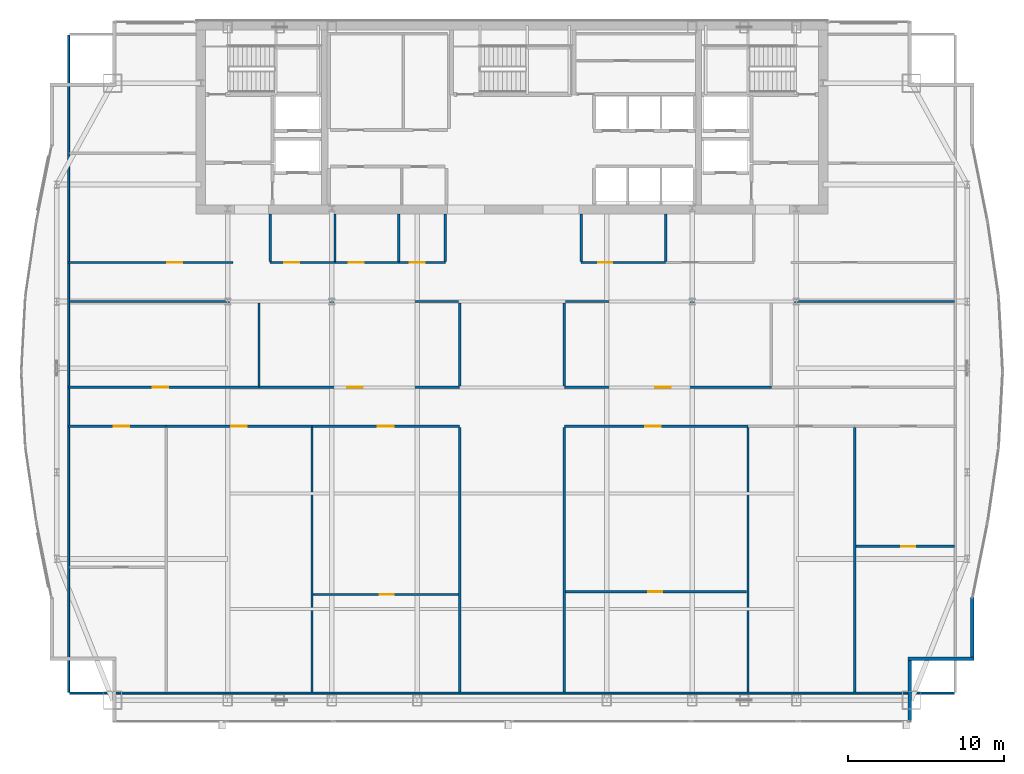
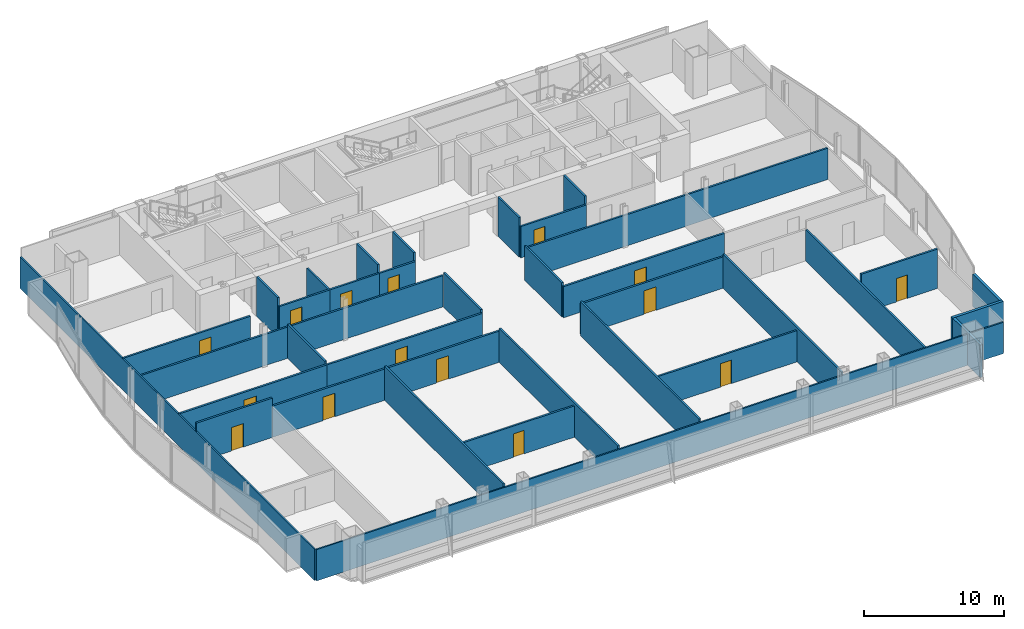
# One storey, part 25 of 30: 36 walls, 15 doors, 15 openings.
"""IFC4 building model written with IfcOpenShell, lengths in metres."""

from ifc_helpers import new_model, si_unit, direction, frame, frame_2d, origin, place, context, subcontext, project, spatial, rectangle, extrude, material, layer, layer_set, type_object, element, fill, save


model = new_model("IFC4")

# Units and contexts
model_context = context("Model", 3, precision=1e-05, world=origin(), true_north=direction((0.0, 1.0)))
body_context = subcontext(model_context, "Body", "Model", "MODEL_VIEW")
ifc_project = project(units=[si_unit("LENGTHUNIT", "METRE"), si_unit("AREAUNIT", "SQUARE_METRE"), si_unit("VOLUMEUNIT", "CUBIC_METRE"), si_unit("PLANEANGLEUNIT", "RADIAN"), si_unit("MASSUNIT", "GRAM", prefix="KILO")], contexts=[model_context])

# Site, building, storey
site_placement = place(None, origin())
site = spatial("IfcSite", under=ifc_project, at=site_placement, CompositionType="ELEMENT")
building_placement = place(site_placement, origin())
building = spatial("IfcBuilding", under=site, at=building_placement, Name="Khoronbel Lancet Exchange", CompositionType="ELEMENT")
storey_placement = place(building_placement, frame((0.0, 0.0, 206.60009765625)))
storey = spatial("IfcBuildingStorey", under=building, at=storey_placement, Name="L52", CompositionType="ELEMENT", Elevation=206.60009765625)

# Walls
ifc_material_1 = material(Name="Precast concrete C40/50", Category="concrete")
ifc_layer_1 = layer(ifc_material_1, 0.25, Name="Precast concrete C40/50")
ifc_layer_set_1 = layer_set([ifc_layer_1], Name="Precast concrete C40/50")
wall_type_1 = type_object("IfcWallType", Name="WL-EXT250", PredefinedType="SOLIDWALL", material=ifc_layer_set_1)
wall_1_placement = place(storey_placement, frame((65.9599609375, 16.72900390625, 0.0), z_axis=(0.0, 0.0, 1.0), x_axis=(0.0, -1.0, 0.0)))
element("IfcWall", 1, at=wall_1_placement, inside=storey, type_object=wall_type_1, Name="Level L52 notched-corner limestone pier 23", PredefinedType="SOLIDWALL", context=body_context, shape_type="SweptSolid", body=[
    extrude(rectangle(XDim=3.8291015625, YDim=0.219970703125, at=frame_2d((1.91455078125, 0.0))), origin(), (0.0, 0.0, 1.0), 2.829833984375),
])
wall_2_placement = place(storey_placement, frame((66.070068359375, 12.7900390625, 0.0), z_axis=(0.0, 0.0, 1.0), x_axis=(-1.0, 0.0, 0.0)))
element("IfcWall", 2, at=wall_2_placement, inside=storey, type_object=wall_type_1, Name="Level L52 notched-corner limestone pier 24", PredefinedType="SOLIDWALL", context=body_context, shape_type="SweptSolid", body=[
    extrude(rectangle(XDim=4.219970703125, YDim=0.219970703125, at=frame_2d((2.10986328125, 0.0))), origin(), (0.0, 0.0, 1.0), 2.829833984375),
])
wall_3_placement = place(storey_placement, frame((61.9599609375, 12.679931640625, 0.0), z_axis=(0.0, 0.0, 1.0), x_axis=(0.0, -1.0, 0.0)))
element("IfcWall", 3, at=wall_3_placement, inside=storey, type_object=wall_type_1, Name="Level L52 notched-corner limestone pier 25", PredefinedType="SOLIDWALL", context=body_context, shape_type="SweptSolid", body=[
    extrude(rectangle(XDim=3.909912109375, YDim=0.219970703125, at=frame_2d((1.955078125, 0.0))), origin(), (0.0, 0.0, 1.0), 2.829833984375),
])
ifc_material_2 = material(Name="Acoustic Metal-Stud & Mineral-Wool Gypsum Partition 120 mm", Category="gypsum")
ifc_layer_2 = layer(ifc_material_2, 0.1201171875, Name="Acoustic Metal-Stud & Mineral-Wool Gypsum Partition 120 mm")
ifc_layer_set_2 = layer_set([ifc_layer_2], Name="Acoustic Metal-Stud & Mineral-Wool Gypsum Partition 120 mm")
wall_type_2 = type_object("IfcWallType", Name="WL-PRT120", PredefinedType="PARTITIONING", material=ifc_layer_set_2)
wall_4_placement = place(storey_placement, frame((20.949951171875, 38.280029296875, 0.0), z_axis=(0.0, 0.0, 1.0), x_axis=(0.0, 1.0, 0.0)))
element("IfcWall", 4, at=wall_4_placement, inside=storey, type_object=wall_type_2, Name="Level L52 interior partition PW-WC-0", PredefinedType="PARTITIONING", context=body_context, shape_type="SweptSolid", body=[
    extrude(rectangle(XDim=3.02001953125, YDim=0.14990234375, at=frame_2d((1.510009765625, 0.0))), origin(), (0.0, 0.0, 1.0), 3.43994140625),
])
wall_5_placement = place(storey_placement, frame((25.10009765625, 38.280029296875, 0.0), z_axis=(0.0, 0.0, 1.0), x_axis=(0.0, 1.0, 0.0)))
element("IfcWall", 5, at=wall_5_placement, inside=storey, type_object=wall_type_2, Name="Level L52 interior partition PW-WC-1", PredefinedType="PARTITIONING", context=body_context, shape_type="SweptSolid", body=[
    extrude(rectangle(XDim=3.02001953125, YDim=0.14990234375, at=frame_2d((1.510009765625, 0.0))), origin(), (0.0, 0.0, 1.0), 2.72998046875),
])
for number, where, z_axis, x_axis, name in (
    (6, (29.199951171875, 38.280029296875, 0.0), (0.0, 0.0, 1.0), (0.0, 1.0, 0.0), "Level L52 interior partition PW-WC-2"),
    (7, (32.179931640625, 38.280029296875, 0.0), (0.0, 0.0, 1.0), (0.0, 1.0, 0.0), "Level L52 interior partition PW-WC-3"),
    (8, (40.8798828125, 38.280029296875, 0.0), (0.0, 0.0, 1.0), (0.0, 1.0, 0.0), "Level L52 interior partition PW-NP-0"),
    (9, (46.300048828125, 38.280029296875, 0.0), (0.0, 0.0, 1.0), (0.0, 1.0, 0.0), "Level L52 interior partition PW-NP-M"),
):
    element("IfcWall", number, at=place(storey_placement, frame(where, z_axis=z_axis, x_axis=x_axis)), inside=storey, type_object=wall_type_2, Name=name, PredefinedType="PARTITIONING", context=body_context, shape_type="SweptSolid", body=[
        extrude(rectangle(XDim=3.02001953125, YDim=0.14990234375, at=frame_2d((1.510009765625, 0.0))), origin(), (0.0, 0.0, 1.0), 3.43994140625),
    ])

# Wall, opening, door
wall_6_placement = place(storey_placement, frame((23.70849609375, 16.922607421875, 0.0), z_axis=(0.0, 0.0, 1.0), x_axis=(1.0, 0.0, 0.0)))
wall_6 = element("IfcWall", 10, at=wall_6_placement, inside=storey, type_object=wall_type_2, Name="Level L52 interior partition PW-Z3SW-H3", PredefinedType="PARTITIONING", context=body_context, shape_type="SweptSolid", body=[
    extrude(rectangle(XDim=9.3115234375, YDim=0.14990234375, at=frame_2d((4.65576171875, 0.0))), origin(), (0.0, 0.0, 1.0), 2.72998046875),
])
opening_1_placement = place(wall_6_placement, frame((4.26220703125, 0.0, 0.0)))
opening_1 = element("IfcOpeningElement", 11, at=opening_1_placement, cuts=wall_6, Name="Opening D5", PredefinedType="OPENING", context=body_context, shape_type="SweptSolid", body=[
    extrude(rectangle(XDim=0.89990234375, YDim=2.050048828125, at=frame_2d((0.449951171875, 1.02490234375))), frame((0.0, 0.0849609375, 0.0), z_axis=(0.0, -1.0, 0.0), x_axis=(1.0, 0.0, 0.0)), (0.0, 0.0, 1.0), 0.169921875),
])
ifc_material_3 = material(Name="Acoustic Timber Pantry & Support Door", Category="wood")
door_type_1 = type_object("IfcDoorType", Name="DR-D5", OperationType="NOTDEFINED", PredefinedType="DOOR", material=ifc_material_3)
door_1_placement = place(opening_1_placement, origin())
door_1 = element("IfcDoor", 12, at=door_1_placement, inside=storey, type_object=door_type_1, Name="Z3SW inner door 3 L52-1", OperationType="SINGLE_SWING_RIGHT", OverallHeight=2.050048828125, OverallWidth=0.89990234375, PredefinedType="DOOR", context=body_context, shape_type="SweptSolid", body=[
    extrude(rectangle(XDim=0.89990234375, YDim=2.050048828125, at=frame_2d((0.449951171875, 1.02490234375))), frame((0.0, 0.02490234375, 0.0), z_axis=(0.0, -1.0, 0.0), x_axis=(1.0, 0.0, 0.0)), (0.0, 0.0, 1.0), 0.050048828125),
])
fill(opening_1, door_1)

wall_7_placement = place(storey_placement, frame((39.8798828125, 17.097900390625, 0.0), z_axis=(0.0, 0.0, 1.0), x_axis=(1.0, 0.0, 0.0)))
wall_7 = element("IfcWall", 13, at=wall_7_placement, inside=storey, type_object=wall_type_2, Name="Level L52 interior partition PW-Z3SE-H1", PredefinedType="PARTITIONING", context=body_context, shape_type="SweptSolid", body=[
    extrude(rectangle(XDim=11.615478515625, YDim=0.14990234375, at=frame_2d((5.8076171875, 0.0))), origin(), (0.0, 0.0, 1.0), 2.72998046875),
])
opening_2_placement = place(wall_7_placement, frame((5.298828125, 0.0, 0.0)))
opening_2 = element("IfcOpeningElement", 14, at=opening_2_placement, cuts=wall_7, Name="Opening D5", PredefinedType="OPENING", context=body_context, shape_type="SweptSolid", body=[
    extrude(rectangle(XDim=0.89990234375, YDim=2.050048828125, at=frame_2d((0.449951171875, 1.02490234375))), frame((0.0, 0.0849609375, 0.0), z_axis=(0.0, -1.0, 0.0), x_axis=(1.0, 0.0, 0.0)), (0.0, 0.0, 1.0), 0.169921875),
])
door_2_placement = place(opening_2_placement, origin())
door_2 = element("IfcDoor", 15, at=door_2_placement, inside=storey, type_object=door_type_1, Name="Z3SE inner door 1 L52-1", OperationType="SINGLE_SWING_RIGHT", OverallHeight=2.050048828125, OverallWidth=0.89990234375, PredefinedType="DOOR", context=body_context, shape_type="SweptSolid", body=[
    extrude(rectangle(XDim=0.89990234375, YDim=2.050048828125, at=frame_2d((0.449951171875, 1.02490234375))), frame((0.0, 0.02490234375, 0.0), z_axis=(0.0, -1.0, 0.0), x_axis=(1.0, 0.0, 0.0)), (0.0, 0.0, 1.0), 0.050048828125),
])
fill(opening_2, door_2)

wall_8_placement = place(storey_placement, frame((58.49267578125, 20.0048828125, 0.0), z_axis=(0.0, 0.0, 1.0), x_axis=(1.0, 0.0, 0.0)))
wall_8 = element("IfcWall", 16, at=wall_8_placement, inside=storey, type_object=wall_type_2, Name="Level L52 interior partition PW-Z3SE-H3", PredefinedType="PARTITIONING", context=body_context, shape_type="SweptSolid", body=[
    extrude(rectangle(XDim=6.312255859375, YDim=0.14990234375, at=frame_2d((3.15625, 0.0))), origin(), (0.0, 0.0, 1.0), 3.43994140625),
])
opening_3_placement = place(wall_8_placement, frame((2.90576171875, 0.0, 0.0)))
opening_3 = element("IfcOpeningElement", 17, at=opening_3_placement, cuts=wall_8, Name="Opening D5", PredefinedType="OPENING", context=body_context, shape_type="SweptSolid", body=[
    extrude(rectangle(XDim=0.89990234375, YDim=2.050048828125, at=frame_2d((0.449951171875, 1.02490234375))), frame((0.0, 0.0849609375, 0.0), z_axis=(0.0, -1.0, 0.0), x_axis=(1.0, 0.0, 0.0)), (0.0, 0.0, 1.0), 0.169921875),
])
door_3_placement = place(opening_3_placement, origin())
door_3 = element("IfcDoor", 18, at=door_3_placement, inside=storey, type_object=door_type_1, Name="Z3SE inner door 3 L52-1", OperationType="SINGLE_SWING_LEFT", OverallHeight=2.050048828125, OverallWidth=0.89990234375, PredefinedType="DOOR", context=body_context, shape_type="SweptSolid", body=[
    extrude(rectangle(XDim=0.89990234375, YDim=2.050048828125, at=frame_2d((0.449951171875, 1.02490234375))), frame((0.0, 0.02490234375, 0.0), z_axis=(0.0, -1.0, 0.0), x_axis=(1.0, 0.0, 0.0)), (0.0, 0.0, 1.0), 0.050048828125),
])
fill(opening_3, door_3)

# Walls
wall_9_placement = place(storey_placement, frame((8.030029296875, 10.6650390625, 0.0), z_axis=(0.0, 0.0, 1.0), x_axis=(0.0, 1.0, 0.0)))
element("IfcWall", 19, at=wall_9_placement, inside=storey, type_object=wall_type_2, Name="Level L52 interior partition PW-LIN-W", PredefinedType="PARTITIONING", context=body_context, shape_type="SweptSolid", body=[
    extrude(rectangle(XDim=42.10986328125, YDim=0.1201171875, at=frame_2d((21.054931640625, 0.0))), origin(), (0.0, 0.0, 1.0), 2.72998046875),
])
wall_10_placement = place(storey_placement, frame((8.094970703125, 10.60009765625, 0.0), z_axis=(0.0, 0.0, 1.0), x_axis=(1.0, 0.0, 0.0)))
element("IfcWall", 20, at=wall_10_placement, inside=storey, type_object=wall_type_2, Name="Level L52 interior partition PW-LIN-S", PredefinedType="PARTITIONING", context=body_context, shape_type="SweptSolid", body=[
    extrude(rectangle(XDim=56.7099609375, YDim=0.1201171875, at=frame_2d((28.35498046875, 0.0))), origin(), (0.0, 0.0, 1.0), 2.72998046875),
])

# Wall, opening, door
ifc_material_4 = material(Name="Fire-Rated Twin-Stud Acoustic Gypsum Partition 150 mm", Category="gypsum")
ifc_layer_3 = layer(ifc_material_4, 0.14990234375, Name="Fire-Rated Twin-Stud Acoustic Gypsum Partition 150 mm")
ifc_layer_set_3 = layer_set([ifc_layer_3], Name="Fire-Rated Twin-Stud Acoustic Gypsum Partition 150 mm")
wall_type_3 = type_object("IfcWallType", Name="WL-PRT150C", PredefinedType="PARTITIONING", material=ifc_layer_set_3)
wall_11_placement = place(storey_placement, frame((20.949951171875, 38.199951171875, 0.0), z_axis=(0.0, 0.0, 1.0), x_axis=(1.0, 0.0, 0.0)))
wall_11 = element("IfcWall", 21, at=wall_11_placement, inside=storey, type_object=wall_type_3, Name="Level L52 interior partition PW-WC-S1", PredefinedType="PARTITIONING", context=body_context, shape_type="SweptSolid", body=[
    extrude(rectangle(XDim=4.150146484375, YDim=0.14990234375, at=frame_2d((2.0751953125, 0.0))), origin(), (0.0, 0.0, 1.0), 2.72998046875),
])
opening_4_placement = place(wall_11_placement, frame((0.89990234375, 0.0, 0.0)))
opening_4 = element("IfcOpeningElement", 22, at=opening_4_placement, cuts=wall_11, Name="Opening D4", PredefinedType="OPENING", context=body_context, shape_type="SweptSolid", body=[
    extrude(rectangle(XDim=0.949951171875, YDim=2.050048828125, at=frame_2d((0.47509765625, 1.02490234375))), frame((0.0, 0.0849609375, 0.0), z_axis=(0.0, -1.0, 0.0), x_axis=(1.0, 0.0, 0.0)), (0.0, 0.0, 1.0), 0.169921875),
])
ifc_material_5 = material(Name="Moisture-Resistant HPL Washroom Door", Category="wood")
door_type_2 = type_object("IfcDoorType", Name="DR-D4", OperationType="NOTDEFINED", PredefinedType="DOOR", material=ifc_material_5)
door_4_placement = place(opening_4_placement, origin())
door_4 = element("IfcDoor", 23, at=door_4_placement, inside=storey, type_object=door_type_2, Name="Male washroom door L52-1", OperationType="SINGLE_SWING_LEFT", OverallHeight=2.050048828125, OverallWidth=0.949951171875, PredefinedType="DOOR", context=body_context, shape_type="SweptSolid", body=[
    extrude(rectangle(XDim=0.949951171875, YDim=2.050048828125, at=frame_2d((0.47509765625, 1.02490234375))), frame((0.0, 0.02490234375, 0.0), z_axis=(0.0, -1.0, 0.0), x_axis=(1.0, 0.0, 0.0)), (0.0, 0.0, 1.0), 0.050048828125),
])
fill(opening_4, door_4)

wall_12_placement = place(storey_placement, frame((25.10009765625, 38.199951171875, 0.0), z_axis=(0.0, 0.0, 1.0), x_axis=(1.0, 0.0, 0.0)))
wall_12 = element("IfcWall", 24, at=wall_12_placement, inside=storey, type_object=wall_type_3, Name="Level L52 interior partition PW-WC-S2", PredefinedType="PARTITIONING", context=body_context, shape_type="SweptSolid", body=[
    extrude(rectangle(XDim=4.099853515625, YDim=0.14990234375, at=frame_2d((2.0498046875, 0.0))), origin(), (0.0, 0.0, 1.0), 2.72998046875),
])
opening_5_placement = place(wall_12_placement, frame((0.89990234375, 0.0, 0.0)))
opening_5 = element("IfcOpeningElement", 25, at=opening_5_placement, cuts=wall_12, Name="Opening D4", PredefinedType="OPENING", context=body_context, shape_type="SweptSolid", body=[
    extrude(rectangle(XDim=0.949951171875, YDim=2.050048828125, at=frame_2d((0.47509765625, 1.02490234375))), frame((0.0, 0.0849609375, 0.0), z_axis=(0.0, -1.0, 0.0), x_axis=(1.0, 0.0, 0.0)), (0.0, 0.0, 1.0), 0.169921875),
])
door_5_placement = place(opening_5_placement, origin())
door_5 = element("IfcDoor", 26, at=door_5_placement, inside=storey, type_object=door_type_2, Name="Female washroom door L52-1", OperationType="SINGLE_SWING_RIGHT", OverallHeight=2.050048828125, OverallWidth=0.949951171875, PredefinedType="DOOR", context=body_context, shape_type="SweptSolid", body=[
    extrude(rectangle(XDim=0.949951171875, YDim=2.050048828125, at=frame_2d((0.47509765625, 1.02490234375))), frame((0.0, 0.02490234375, 0.0), z_axis=(0.0, -1.0, 0.0), x_axis=(1.0, 0.0, 0.0)), (0.0, 0.0, 1.0), 0.050048828125),
])
fill(opening_5, door_5)

wall_13_placement = place(storey_placement, frame((29.199951171875, 38.199951171875, 0.0), z_axis=(0.0, 0.0, 1.0), x_axis=(1.0, 0.0, 0.0)))
wall_13 = element("IfcWall", 27, at=wall_13_placement, inside=storey, type_object=wall_type_3, Name="Level L52 interior partition PW-WC-S3", PredefinedType="PARTITIONING", context=body_context, shape_type="SweptSolid", body=[
    extrude(rectangle(XDim=2.97998046875, YDim=0.14990234375, at=frame_2d((1.489990234375, 0.0))), origin(), (0.0, 0.0, 1.0), 2.72998046875),
])
opening_6_placement = place(wall_13_placement, frame((0.699951171875, 0.0, 0.0)))
opening_6 = element("IfcOpeningElement", 28, at=opening_6_placement, cuts=wall_13, Name="Opening D4", PredefinedType="OPENING", context=body_context, shape_type="SweptSolid", body=[
    extrude(rectangle(XDim=0.949951171875, YDim=2.050048828125, at=frame_2d((0.47509765625, 1.02490234375))), frame((0.0, 0.0849609375, 0.0), z_axis=(0.0, -1.0, 0.0), x_axis=(1.0, 0.0, 0.0)), (0.0, 0.0, 1.0), 0.169921875),
])
door_6_placement = place(opening_6_placement, origin())
door_6 = element("IfcDoor", 29, at=door_6_placement, inside=storey, type_object=door_type_2, Name="Accessible WC door L52-1", OperationType="SINGLE_SWING_LEFT", OverallHeight=2.050048828125, OverallWidth=0.949951171875, PredefinedType="DOOR", context=body_context, shape_type="SweptSolid", body=[
    extrude(rectangle(XDim=0.949951171875, YDim=2.050048828125, at=frame_2d((0.47509765625, 1.02490234375))), frame((0.0, 0.02490234375, 0.0), z_axis=(0.0, -1.0, 0.0), x_axis=(1.0, 0.0, 0.0)), (0.0, 0.0, 1.0), 0.050048828125),
])
fill(opening_6, door_6)

wall_14_placement = place(storey_placement, frame((40.8798828125, 38.199951171875, 0.0), z_axis=(0.0, 0.0, 1.0), x_axis=(1.0, 0.0, 0.0)))
wall_14 = element("IfcWall", 30, at=wall_14_placement, inside=storey, type_object=wall_type_3, Name="Level L52 interior partition PW-NP-S1", PredefinedType="PARTITIONING", context=body_context, shape_type="SweptSolid", body=[
    extrude(rectangle(XDim=5.420166015625, YDim=0.14990234375, at=frame_2d((2.7099609375, 0.0))), origin(), (0.0, 0.0, 1.0), 2.72998046875),
])
opening_7_placement = place(wall_14_placement, frame((1.10009765625, 0.0, 0.0)))
opening_7 = element("IfcOpeningElement", 31, at=opening_7_placement, cuts=wall_14, Name="Opening D5", PredefinedType="OPENING", context=body_context, shape_type="SweptSolid", body=[
    extrude(rectangle(XDim=0.89990234375, YDim=2.050048828125, at=frame_2d((0.449951171875, 1.02490234375))), frame((0.0, 0.0849609375, 0.0), z_axis=(0.0, -1.0, 0.0), x_axis=(1.0, 0.0, 0.0)), (0.0, 0.0, 1.0), 0.169921875),
])
door_7_placement = place(opening_7_placement, origin())
door_7 = element("IfcDoor", 32, at=door_7_placement, inside=storey, type_object=door_type_1, Name="Floor refreshment pantry door L52-1", OperationType="SINGLE_SWING_RIGHT", OverallHeight=2.050048828125, OverallWidth=0.89990234375, PredefinedType="DOOR", context=body_context, shape_type="SweptSolid", body=[
    extrude(rectangle(XDim=0.89990234375, YDim=2.050048828125, at=frame_2d((0.449951171875, 1.02490234375))), frame((0.0, 0.02490234375, 0.0), z_axis=(0.0, -1.0, 0.0), x_axis=(1.0, 0.0, 0.0)), (0.0, 0.0, 1.0), 0.050048828125),
])
fill(opening_7, door_7)

wall_15_placement = place(storey_placement, frame((8.030029296875, 38.199951171875, 0.0), z_axis=(0.0, 0.0, 1.0), x_axis=(1.0, 0.0, 0.0)))
wall_15 = element("IfcWall", 33, at=wall_15_placement, inside=storey, type_object=wall_type_3, Name="Level L52 interior partition PW-NW-S", PredefinedType="PARTITIONING", context=body_context, shape_type="SweptSolid", body=[
    extrude(rectangle(XDim=10.52001953125, YDim=0.14990234375, at=frame_2d((5.260009765625, 0.0))), origin(), (0.0, 0.0, 1.0), 2.72998046875),
])
opening_8_placement = place(wall_15_placement, frame((6.320068359375, 0.0, 0.0)))
opening_8 = element("IfcOpeningElement", 34, at=opening_8_placement, cuts=wall_15, Name="Opening D1", PredefinedType="OPENING", context=body_context, shape_type="SweptSolid", body=[
    extrude(rectangle(XDim=0.949951171875, YDim=2.050048828125, at=frame_2d((0.47509765625, 1.02490234375))), frame((0.0, 0.0849609375, 0.0), z_axis=(0.0, -1.0, 0.0), x_axis=(1.0, 0.0, 0.0)), (0.0, 0.0, 1.0), 0.169921875),
])
ifc_material_6 = material(Name="Acoustic Veneered Timber & Bronze Frame Door", Category="wood")
door_type_3 = type_object("IfcDoorType", Name="DR-D1", OperationType="NOTDEFINED", PredefinedType="DOOR", material=ifc_material_6)
door_8_placement = place(opening_8_placement, origin())
door_8 = element("IfcDoor", 35, at=door_8_placement, inside=storey, type_object=door_type_3, Name="NW corner room door L52-1", OperationType="SINGLE_SWING_RIGHT", OverallHeight=2.050048828125, OverallWidth=0.949951171875, PredefinedType="DOOR", context=body_context, shape_type="SweptSolid", body=[
    extrude(rectangle(XDim=0.949951171875, YDim=2.050048828125, at=frame_2d((0.47509765625, 1.02490234375))), frame((0.0, 0.02490234375, 0.0), z_axis=(0.0, -1.0, 0.0), x_axis=(1.0, 0.0, 0.0)), (0.0, 0.0, 1.0), 0.050048828125),
])
fill(opening_8, door_8)

# Walls
for number, where, z_axis, x_axis, name in (
    (36, (33.10009765625, 10.6650390625, 0.0), (0.0, 0.0, 1.0), (0.0, 1.0, 0.0), "Level L52 interior partition PW-Z3-CW1"),
    (37, (39.800048828125, 10.6650390625, 0.0), (0.0, 0.0, 1.0), (0.0, 1.0, 0.0), "Level L52 interior partition PW-Z3-CE1"),
):
    element("IfcWall", number, at=place(storey_placement, frame(where, z_axis=z_axis, x_axis=x_axis)), inside=storey, type_object=wall_type_3, Name=name, PredefinedType="PARTITIONING", context=body_context, shape_type="SweptSolid", body=[
        extrude(rectangle(XDim=16.949951171875, YDim=0.14990234375, at=frame_2d((8.47509765625, 0.0))), origin(), (0.0, 0.0, 1.0), 2.97998046875),
    ])
for number, where, z_axis, x_axis, name in (
    (38, (33.10009765625, 30.284912109375, 0.0), (0.0, 0.0, 1.0), (0.0, 1.0, 0.0), "Level L52 interior partition PW-Z3-CW2"),
    (39, (39.800048828125, 30.284912109375, 0.0), (0.0, 0.0, 1.0), (0.0, 1.0, 0.0), "Level L52 interior partition PW-Z3-CE2"),
):
    element("IfcWall", number, at=place(storey_placement, frame(where, z_axis=z_axis, x_axis=x_axis)), inside=storey, type_object=wall_type_3, Name=name, PredefinedType="PARTITIONING", context=body_context, shape_type="SweptSolid", body=[
        extrude(rectangle(XDim=5.335205078125, YDim=0.14990234375, at=frame_2d((2.66748046875, 0.0))), origin(), (0.0, 0.0, 1.0), 2.97998046875),
    ])
for number, where, z_axis, x_axis, name in (
    (40, (8.094970703125, 35.699951171875, 0.0), (0.0, 0.0, 1.0), (1.0, 0.0, 0.0), "Level L52 interior partition PW-Z3-WN"),
    (41, (39.8798828125, 35.699951171875, 0.0), (0.0, 0.0, 1.0), (1.0, 0.0, 0.0), "Level L52 interior partition PW-Z3-EN"),
):
    element("IfcWall", number, at=place(storey_placement, frame(where, z_axis=z_axis, x_axis=x_axis)), inside=storey, type_object=wall_type_3, Name=name, PredefinedType="PARTITIONING", context=body_context, shape_type="SweptSolid", body=[
        extrude(rectangle(XDim=24.925048828125, YDim=0.14990234375, at=frame_2d((12.46240234375, 0.0))), origin(), (0.0, 0.0, 1.0), 2.72998046875),
    ])
for number, where, z_axis, x_axis, name in (
    (42, (23.628662109375, 10.6650390625, 0.0), (0.0, 0.0, 1.0), (0.0, 1.0, 0.0), "Level L52 interior partition PW-Z3SW-V2"),
    (43, (51.5751953125, 10.6650390625, 0.0), (0.0, 0.0, 1.0), (0.0, 1.0, 0.0), "Level L52 interior partition PW-Z3SE-V1"),
):
    element("IfcWall", number, at=place(storey_placement, frame(where, z_axis=z_axis, x_axis=x_axis)), inside=storey, type_object=wall_type_3, Name=name, PredefinedType="PARTITIONING", context=body_context, shape_type="SweptSolid", body=[
        extrude(rectangle(XDim=16.949951171875, YDim=0.14990234375, at=frame_2d((8.47509765625, 0.0))), origin(), (0.0, 0.0, 1.0), 2.97998046875),
    ])
wall_16_placement = place(storey_placement, frame((58.41259765625, 10.6650390625, 0.0), z_axis=(0.0, 0.0, 1.0), x_axis=(0.0, 1.0, 0.0)))
element("IfcWall", 44, at=wall_16_placement, inside=storey, type_object=wall_type_3, Name="Level L52 interior partition PW-Z3SE-V2", PredefinedType="PARTITIONING", context=body_context, shape_type="SweptSolid", body=[
    extrude(rectangle(XDim=16.949951171875, YDim=0.14990234375, at=frame_2d((8.47509765625, 0.0))), origin(), (0.0, 0.0, 1.0), 2.72998046875),
])
wall_17_placement = place(storey_placement, frame((20.23583984375, 30.284912109375, 0.0), z_axis=(0.0, 0.0, 1.0), x_axis=(0.0, 1.0, 0.0)))
element("IfcWall", 45, at=wall_17_placement, inside=storey, type_object=wall_type_3, Name="Level L52 interior partition PW-Z3NW-V1", PredefinedType="PARTITIONING", context=body_context, shape_type="SweptSolid", body=[
    extrude(rectangle(XDim=5.335205078125, YDim=0.14990234375, at=frame_2d((2.66748046875, 0.0))), origin(), (0.0, 0.0, 1.0), 2.97998046875),
])

# Wall, opening, door
ifc_material_7 = material(Name="Fire-Rated Twin-Stud Acoustic Gypsum Partition 160 mm", Category="gypsum")
ifc_layer_4 = layer(ifc_material_7, 0.159912109375, Name="Fire-Rated Twin-Stud Acoustic Gypsum Partition 160 mm")
ifc_layer_set_4 = layer_set([ifc_layer_4], Name="Fire-Rated Twin-Stud Acoustic Gypsum Partition 160 mm")
wall_type_4 = type_object("IfcWallType", Name="WL-PRT160C", PredefinedType="PARTITIONING", material=ifc_layer_set_4)
wall_18_placement = place(storey_placement, frame((8.030029296875, 27.699951171875, 0.0), z_axis=(0.0, 0.0, 1.0), x_axis=(1.0, 0.0, 0.0)))
wall_18 = element("IfcWall", 46, at=wall_18_placement, inside=storey, type_object=wall_type_4, Name="Level L52 interior partition PW-Z3SW-COR1", PredefinedType="PARTITIONING", context=body_context, shape_type="SweptSolid", body=[
    extrude(rectangle(XDim=6.251953125, YDim=0.159912109375, at=frame_2d((3.1259765625, 0.0))), origin(), (0.0, 0.0, 1.0), 3.43994140625),
])
opening_9_placement = place(wall_18_placement, frame((2.875732421875, 0.0, 0.0)))
opening_9 = element("IfcOpeningElement", 47, at=opening_9_placement, cuts=wall_18, Name="Opening D2", PredefinedType="OPENING", context=body_context, shape_type="SweptSolid", body=[
    extrude(rectangle(XDim=1.0, YDim=2.050048828125, at=frame_2d((0.5, 1.02490234375))), frame((0.0, 0.08984375, 0.0), z_axis=(0.0, -1.0, 0.0), x_axis=(1.0, 0.0, 0.0)), (0.0, 0.0, 1.0), 0.179931640625),
])
door_type_4 = type_object("IfcDoorType", Name="DR-D2", OperationType="NOTDEFINED", PredefinedType="DOOR", material=ifc_material_6)
door_9_placement = place(opening_9_placement, origin())
door_9 = element("IfcDoor", 48, at=door_9_placement, inside=storey, type_object=door_type_4, Name="Z3SW bay 1 door L52-1", OperationType="SINGLE_SWING_RIGHT", OverallHeight=2.050048828125, OverallWidth=1.0, PredefinedType="DOOR", context=body_context, shape_type="SweptSolid", body=[
    extrude(rectangle(XDim=1.0, YDim=2.050048828125, at=frame_2d((0.5, 1.02490234375))), frame((0.0, 0.02490234375, 0.0), z_axis=(0.0, -1.0, 0.0), x_axis=(1.0, 0.0, 0.0)), (0.0, 0.0, 1.0), 0.050048828125),
])
fill(opening_9, door_9)

wall_19_placement = place(storey_placement, frame((14.281982421875, 27.699951171875, 0.0), z_axis=(0.0, 0.0, 1.0), x_axis=(1.0, 0.0, 0.0)))
wall_19 = element("IfcWall", 49, at=wall_19_placement, inside=storey, type_object=wall_type_4, Name="Level L52 interior partition PW-Z3SW-COR2", PredefinedType="PARTITIONING", context=body_context, shape_type="SweptSolid", body=[
    extrude(rectangle(XDim=9.3466796875, YDim=0.159912109375, at=frame_2d((4.67333984375, 0.0))), origin(), (0.0, 0.0, 1.0), 2.72998046875),
])
opening_10_placement = place(wall_19_placement, frame((4.175537109375, 0.0, 0.0)))
opening_10 = element("IfcOpeningElement", 50, at=opening_10_placement, cuts=wall_19, Name="Opening D2", PredefinedType="OPENING", context=body_context, shape_type="SweptSolid", body=[
    extrude(rectangle(XDim=1.0, YDim=2.050048828125, at=frame_2d((0.5, 1.02490234375))), frame((0.0, 0.08984375, 0.0), z_axis=(0.0, -1.0, 0.0), x_axis=(1.0, 0.0, 0.0)), (0.0, 0.0, 1.0), 0.179931640625),
])
door_10_placement = place(opening_10_placement, origin())
door_10 = element("IfcDoor", 51, at=door_10_placement, inside=storey, type_object=door_type_4, Name="Z3SW bay 2 door L52-1", OperationType="SINGLE_SWING_RIGHT", OverallHeight=2.050048828125, OverallWidth=1.0, PredefinedType="DOOR", context=body_context, shape_type="SweptSolid", body=[
    extrude(rectangle(XDim=1.0, YDim=2.050048828125, at=frame_2d((0.5, 1.02490234375))), frame((0.0, 0.02490234375, 0.0), z_axis=(0.0, -1.0, 0.0), x_axis=(1.0, 0.0, 0.0)), (0.0, 0.0, 1.0), 0.050048828125),
])
fill(opening_10, door_10)

wall_20_placement = place(storey_placement, frame((23.628662109375, 27.699951171875, 0.0), z_axis=(0.0, 0.0, 1.0), x_axis=(1.0, 0.0, 0.0)))
wall_20 = element("IfcWall", 52, at=wall_20_placement, inside=storey, type_object=wall_type_4, Name="Level L52 interior partition PW-Z3SW-COR3", PredefinedType="PARTITIONING", context=body_context, shape_type="SweptSolid", body=[
    extrude(rectangle(XDim=9.471435546875, YDim=0.159912109375, at=frame_2d((4.73583984375, 0.0))), origin(), (0.0, 0.0, 1.0), 2.72998046875),
])
opening_11_placement = place(wall_20_placement, frame((4.22802734375, 0.0, 0.0)))
opening_11 = element("IfcOpeningElement", 53, at=opening_11_placement, cuts=wall_20, Name="Opening D2", PredefinedType="OPENING", context=body_context, shape_type="SweptSolid", body=[
    extrude(rectangle(XDim=1.0, YDim=2.050048828125, at=frame_2d((0.5, 1.02490234375))), frame((0.0, 0.08984375, 0.0), z_axis=(0.0, -1.0, 0.0), x_axis=(1.0, 0.0, 0.0)), (0.0, 0.0, 1.0), 0.179931640625),
])
door_11_placement = place(opening_11_placement, origin())
door_11 = element("IfcDoor", 54, at=door_11_placement, inside=storey, type_object=door_type_4, Name="Z3SW bay 3 door L52-1", OperationType="SINGLE_SWING_LEFT", OverallHeight=2.050048828125, OverallWidth=1.0, PredefinedType="DOOR", context=body_context, shape_type="SweptSolid", body=[
    extrude(rectangle(XDim=1.0, YDim=2.050048828125, at=frame_2d((0.5, 1.02490234375))), frame((0.0, 0.02490234375, 0.0), z_axis=(0.0, -1.0, 0.0), x_axis=(1.0, 0.0, 0.0)), (0.0, 0.0, 1.0), 0.050048828125),
])
fill(opening_11, door_11)

wall_21_placement = place(storey_placement, frame((39.800048828125, 27.699951171875, 0.0), z_axis=(0.0, 0.0, 1.0), x_axis=(1.0, 0.0, 0.0)))
wall_21 = element("IfcWall", 55, at=wall_21_placement, inside=storey, type_object=wall_type_4, Name="Level L52 interior partition PW-Z3SE-COR1", PredefinedType="PARTITIONING", context=body_context, shape_type="SweptSolid", body=[
    extrude(rectangle(XDim=11.775146484375, YDim=0.159912109375, at=frame_2d((5.8876953125, 0.0))), origin(), (0.0, 0.0, 1.0), 2.72998046875),
])
opening_12_placement = place(wall_21_placement, frame((5.195556640625, 0.0, 0.0)))
opening_12 = element("IfcOpeningElement", 56, at=opening_12_placement, cuts=wall_21, Name="Opening D2", PredefinedType="OPENING", context=body_context, shape_type="SweptSolid", body=[
    extrude(rectangle(XDim=1.0, YDim=2.050048828125, at=frame_2d((0.5, 1.02490234375))), frame((0.0, 0.08984375, 0.0), z_axis=(0.0, -1.0, 0.0), x_axis=(1.0, 0.0, 0.0)), (0.0, 0.0, 1.0), 0.179931640625),
])
door_12_placement = place(opening_12_placement, origin())
door_12 = element("IfcDoor", 57, at=door_12_placement, inside=storey, type_object=door_type_4, Name="Z3SE bay 1 door L52-1", OperationType="SINGLE_SWING_LEFT", OverallHeight=2.050048828125, OverallWidth=1.0, PredefinedType="DOOR", context=body_context, shape_type="SweptSolid", body=[
    extrude(rectangle(XDim=1.0, YDim=2.050048828125, at=frame_2d((0.5, 1.02490234375))), frame((0.0, 0.02490234375, 0.0), z_axis=(0.0, -1.0, 0.0), x_axis=(1.0, 0.0, 0.0)), (0.0, 0.0, 1.0), 0.050048828125),
])
fill(opening_12, door_12)

wall_22_placement = place(storey_placement, frame((8.030029296875, 30.199951171875, 0.0), z_axis=(0.0, 0.0, 1.0), x_axis=(1.0, 0.0, 0.0)))
wall_22 = element("IfcWall", 58, at=wall_22_placement, inside=storey, type_object=wall_type_4, Name="Level L52 interior partition PW-Z3NW-COR1", PredefinedType="PARTITIONING", context=body_context, shape_type="SweptSolid", body=[
    extrude(rectangle(XDim=12.205810546875, YDim=0.159912109375, at=frame_2d((6.10302734375, 0.0))), origin(), (0.0, 0.0, 1.0), 2.72998046875),
])
opening_13_placement = place(wall_22_placement, frame((5.37646484375, 0.0, 0.0)))
opening_13 = element("IfcOpeningElement", 59, at=opening_13_placement, cuts=wall_22, Name="Opening D2", PredefinedType="OPENING", context=body_context, shape_type="SweptSolid", body=[
    extrude(rectangle(XDim=1.0, YDim=2.050048828125, at=frame_2d((0.5, 1.02490234375))), frame((0.0, 0.08984375, 0.0), z_axis=(0.0, -1.0, 0.0), x_axis=(1.0, 0.0, 0.0)), (0.0, 0.0, 1.0), 0.179931640625),
])
door_13_placement = place(opening_13_placement, origin())
door_13 = element("IfcDoor", 60, at=door_13_placement, inside=storey, type_object=door_type_4, Name="Z3NW bay 1 door L52-1", OperationType="SINGLE_SWING_RIGHT", OverallHeight=2.050048828125, OverallWidth=1.0, PredefinedType="DOOR", context=body_context, shape_type="SweptSolid", body=[
    extrude(rectangle(XDim=1.0, YDim=2.050048828125, at=frame_2d((0.5, 1.02490234375))), frame((0.0, 0.02490234375, 0.0), z_axis=(0.0, -1.0, 0.0), x_axis=(1.0, 0.0, 0.0)), (0.0, 0.0, 1.0), 0.050048828125),
])
fill(opening_13, door_13)

wall_23_placement = place(storey_placement, frame((20.23583984375, 30.199951171875, 0.0), z_axis=(0.0, 0.0, 1.0), x_axis=(1.0, 0.0, 0.0)))
wall_23 = element("IfcWall", 61, at=wall_23_placement, inside=storey, type_object=wall_type_4, Name="Level L52 interior partition PW-Z3NW-COR2", PredefinedType="PARTITIONING", context=body_context, shape_type="SweptSolid", body=[
    extrude(rectangle(XDim=12.8642578125, YDim=0.159912109375, at=frame_2d((6.43212890625, 0.0))), origin(), (0.0, 0.0, 1.0), 2.72998046875),
])
opening_14_placement = place(wall_23_placement, frame((5.65283203125, 0.0, 0.0)))
opening_14 = element("IfcOpeningElement", 62, at=opening_14_placement, cuts=wall_23, Name="Opening D2", PredefinedType="OPENING", context=body_context, shape_type="SweptSolid", body=[
    extrude(rectangle(XDim=1.0, YDim=2.050048828125, at=frame_2d((0.5, 1.02490234375))), frame((0.0, 0.08984375, 0.0), z_axis=(0.0, -1.0, 0.0), x_axis=(1.0, 0.0, 0.0)), (0.0, 0.0, 1.0), 0.179931640625),
])
door_14_placement = place(opening_14_placement, origin())
door_14 = element("IfcDoor", 63, at=door_14_placement, inside=storey, type_object=door_type_4, Name="Z3NW bay 2 door L52-1", OperationType="SINGLE_SWING_LEFT", OverallHeight=2.050048828125, OverallWidth=1.0, PredefinedType="DOOR", context=body_context, shape_type="SweptSolid", body=[
    extrude(rectangle(XDim=1.0, YDim=2.050048828125, at=frame_2d((0.5, 1.02490234375))), frame((0.0, 0.02490234375, 0.0), z_axis=(0.0, -1.0, 0.0), x_axis=(1.0, 0.0, 0.0)), (0.0, 0.0, 1.0), 0.050048828125),
])
fill(opening_14, door_14)

wall_24_placement = place(storey_placement, frame((39.800048828125, 30.199951171875, 0.0), z_axis=(0.0, 0.0, 1.0), x_axis=(1.0, 0.0, 0.0)))
wall_24 = element("IfcWall", 64, at=wall_24_placement, inside=storey, type_object=wall_type_4, Name="Level L52 interior partition PW-Z3NE-COR1", PredefinedType="PARTITIONING", context=body_context, shape_type="SweptSolid", body=[
    extrude(rectangle(XDim=13.2724609375, YDim=0.159912109375, at=frame_2d((6.63623046875, 0.0))), origin(), (0.0, 0.0, 1.0), 2.72998046875),
])
opening_15_placement = place(wall_24_placement, frame((5.824462890625, 0.0, 0.0)))
opening_15 = element("IfcOpeningElement", 65, at=opening_15_placement, cuts=wall_24, Name="Opening D2", PredefinedType="OPENING", context=body_context, shape_type="SweptSolid", body=[
    extrude(rectangle(XDim=1.0, YDim=2.050048828125, at=frame_2d((0.5, 1.02490234375))), frame((0.0, 0.08984375, 0.0), z_axis=(0.0, -1.0, 0.0), x_axis=(1.0, 0.0, 0.0)), (0.0, 0.0, 1.0), 0.179931640625),
])
door_15_placement = place(opening_15_placement, origin())
door_15 = element("IfcDoor", 66, at=door_15_placement, inside=storey, type_object=door_type_4, Name="Z3NE bay 1 door L52-1", OperationType="SINGLE_SWING_RIGHT", OverallHeight=2.050048828125, OverallWidth=1.0, PredefinedType="DOOR", context=body_context, shape_type="SweptSolid", body=[
    extrude(rectangle(XDim=1.0, YDim=2.050048828125, at=frame_2d((0.5, 1.02490234375))), frame((0.0, 0.02490234375, 0.0), z_axis=(0.0, -1.0, 0.0), x_axis=(1.0, 0.0, 0.0)), (0.0, 0.0, 1.0), 0.050048828125),
])
fill(opening_15, door_15)

save(model, "model.ifc")
